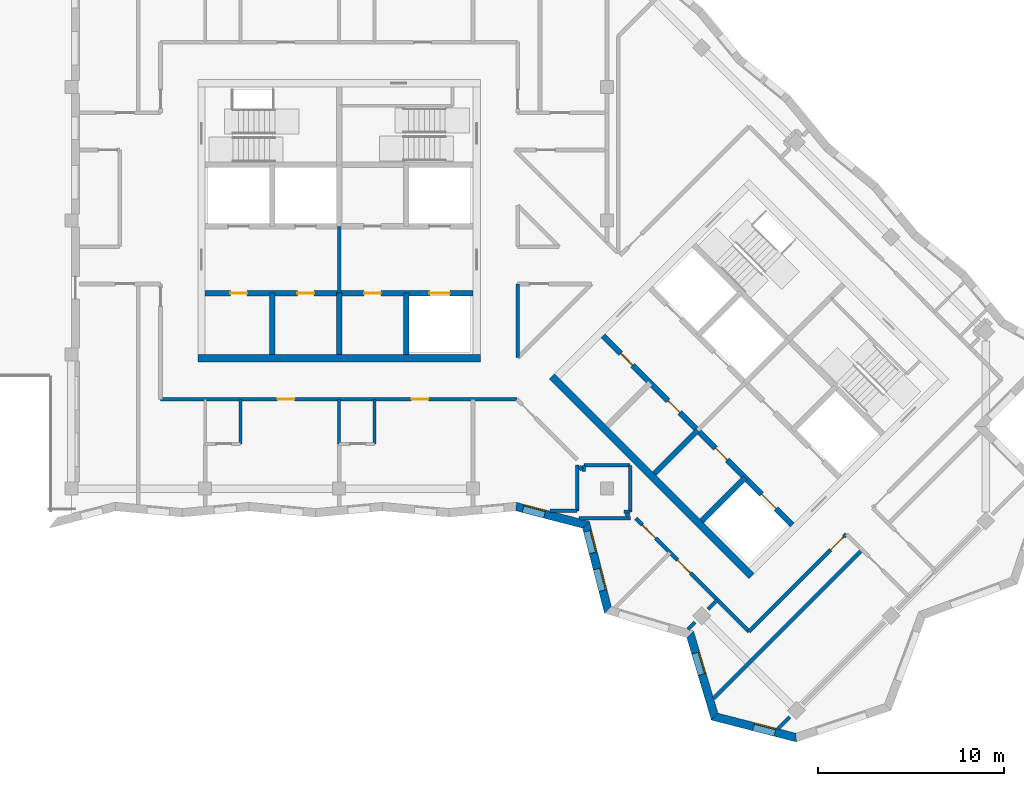
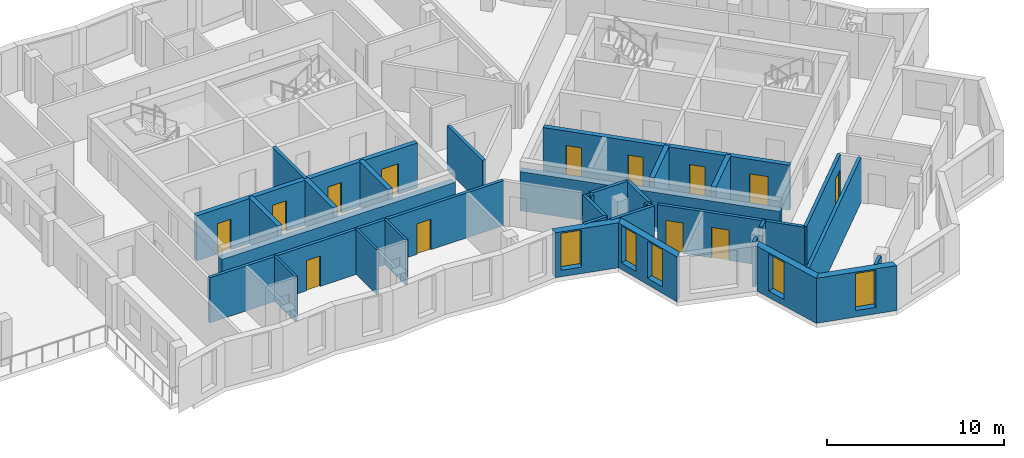
# One storey, part 3 of 12: 34 walls, 13 doors, 5 windows, 18 openings.
"""IFC4 building model written with IfcOpenShell, lengths in metres."""

from ifc_helpers import new_model, si_unit, direction, frame, frame_2d, origin, place, context, subcontext, project, spatial, polyline, rectangle, outline, extrude, material, layer, layer_set, type_object, element, fill, save


model = new_model("IFC4")

# Units and contexts
model_context = context("Model", 3, precision=1e-05, world=origin(), true_north=direction((0.0, 1.0)))
body_context = subcontext(model_context, "Body", "Model", "MODEL_VIEW")
ifc_project = project(units=[si_unit("LENGTHUNIT", "METRE"), si_unit("AREAUNIT", "SQUARE_METRE"), si_unit("VOLUMEUNIT", "CUBIC_METRE"), si_unit("PLANEANGLEUNIT", "RADIAN"), si_unit("MASSUNIT", "GRAM", prefix="KILO")], contexts=[model_context])

# Site, building, storey
site_placement = place(None, origin())
site = spatial("IfcSite", under=ifc_project, at=site_placement, CompositionType="ELEMENT")
building_placement = place(site_placement, origin())
building = spatial("IfcBuilding", under=site, at=building_placement, Name="Windrow Commons", CompositionType="ELEMENT")
storey_placement = place(building_placement, frame((0.0, 0.0, 247.2)))
storey = spatial("IfcBuildingStorey", under=building, at=storey_placement, Name="L67", CompositionType="ELEMENT", Elevation=247.2)

# Wall, opening, window
ifc_material_1 = material(Name="Brick masonry, red clay brick", Category="masonry")
ifc_layer_1 = layer(ifc_material_1, 0.45)
ifc_layer_set_1 = layer_set([ifc_layer_1], Name="Brick facade wall 450")
wall_type_1 = type_object("IfcWallType", Name="Brick facade wall 450", PredefinedType="SOLIDWALL", material=ifc_layer_set_1)
wall_1_placement = place(storey_placement, frame((74.3186, 42.2277, 0.0), z_axis=(0.0, 0.0, 1.0), x_axis=(0.9679697349, -0.2510669081, 0.0)))
wall_1 = element("IfcWall", 1, at=wall_1_placement, inside=storey, type_object=wall_type_1, Name="Brick facade wall L67 45", PredefinedType="SOLIDWALL", context=body_context, shape_type="SweptSolid", body=[
    extrude(outline(polyline([(0.0393, -0.225), (3.7436, -0.225), (4.0088, 0.225), (-0.0393, 0.225), (0.0393, -0.225)])), origin(), (0.0, 0.0, 1.0), 3.1),
])
opening_1_placement = place(wall_1_placement, frame((0.3865, 0.0, 0.45)))
opening_1 = element("IfcOpeningElement", 2, at=opening_1_placement, cuts=wall_1, Name="Opening W7F", PredefinedType="OPENING", context=body_context, shape_type="SweptSolid", body=[
    extrude(rectangle(XDim=1.2, YDim=2.55, at=frame_2d((0.6, 1.275))), frame((0.0, 0.235, 0.0), z_axis=(0.0, -1.0, 0.0), x_axis=(1.0, 0.0, 0.0)), (0.0, 0.0, 1.0), 0.47),
])
ifc_material_2 = material(Name="Clear float glass in anodised aluminium frame", Category="aluminium")
window_type = type_object("IfcWindowType", Name="Window W7 notch 1200x2550", PartitioningType="SINGLE_PANEL", PredefinedType="WINDOW", material=ifc_material_2)
window_1_placement = place(opening_1_placement, origin())
window_1 = element("IfcWindow", 3, at=window_1_placement, inside=storey, type_object=window_type, Name="Window L67 45.1A", OverallHeight=2.55, OverallWidth=1.2, PartitioningType="SINGLE_PANEL", PredefinedType="WINDOW", context=body_context, shape_type="SweptSolid", body=[
    extrude(rectangle(XDim=1.2, YDim=2.55, at=frame_2d((0.6, 1.275))), frame((0.0, 0.205, 0.0), z_axis=(0.0, -1.0, 0.0), x_axis=(1.0, 0.0, 0.0)), (0.0, 0.0, 1.0), 0.06),
])
fill(opening_1, window_1)

# Wall, openings, windows
wall_2_placement = place(storey_placement, frame((78.0707, 41.2545, 0.0), z_axis=(0.0, 0.0, 1.0), x_axis=(0.2493659813, -0.9684093181, 0.0)))
wall_2 = element("IfcWall", 4, at=wall_2_placement, inside=storey, type_object=wall_type_1, Name="Brick facade wall L67 46", PredefinedType="SOLIDWALL", context=body_context, shape_type="SweptSolid", body=[
    extrude(outline(polyline([(0.1326, -0.225), (4.8529, -0.225), (4.5983, 0.225), (-0.1326, 0.225), (0.1326, -0.225)])), origin(), (0.0, 0.0, 1.0), 3.1),
])
opening_2_placement = place(wall_2_placement, frame((0.3542, 0.0, 0.45)))
opening_2 = element("IfcOpeningElement", 5, at=opening_2_placement, cuts=wall_2, Name="Opening W7F", PredefinedType="OPENING", context=body_context, shape_type="SweptSolid", body=[
    extrude(rectangle(XDim=1.2, YDim=2.55, at=frame_2d((0.6, 1.275))), frame((0.0, 0.235, 0.0), z_axis=(0.0, -1.0, 0.0), x_axis=(1.0, 0.0, 0.0)), (0.0, 0.0, 1.0), 0.47),
])
opening_3_placement = place(wall_2_placement, frame((2.4534, 0.0, 0.45)))
opening_3 = element("IfcOpeningElement", 6, at=opening_3_placement, cuts=wall_2, Name="Opening W7F", PredefinedType="OPENING", context=body_context, shape_type="SweptSolid", body=[
    extrude(rectangle(XDim=1.2, YDim=2.55, at=frame_2d((0.6, 1.275))), frame((0.0, 0.235, 0.0), z_axis=(0.0, -1.0, 0.0), x_axis=(1.0, 0.0, 0.0)), (0.0, 0.0, 1.0), 0.47),
])
window_2_placement = place(opening_2_placement, origin())
window_2 = element("IfcWindow", 7, at=window_2_placement, inside=storey, type_object=window_type, Name="Window L67 46.1", OverallHeight=2.55, OverallWidth=1.2, PartitioningType="SINGLE_PANEL", PredefinedType="WINDOW", context=body_context, shape_type="SweptSolid", body=[
    extrude(rectangle(XDim=1.2, YDim=2.55, at=frame_2d((0.6, 1.275))), frame((0.0, 0.205, 0.0), z_axis=(0.0, -1.0, 0.0), x_axis=(1.0, 0.0, 0.0)), (0.0, 0.0, 1.0), 0.06),
])
fill(opening_2, window_2)
window_3_placement = place(opening_3_placement, origin())
window_3 = element("IfcWindow", 8, at=window_3_placement, inside=storey, type_object=window_type, Name="Window L67 46.2", OverallHeight=2.55, OverallWidth=1.2, PartitioningType="SINGLE_PANEL", PredefinedType="WINDOW", context=body_context, shape_type="SweptSolid", body=[
    extrude(rectangle(XDim=1.2, YDim=2.55, at=frame_2d((0.6, 1.275))), frame((0.0, 0.205, 0.0), z_axis=(0.0, -1.0, 0.0), x_axis=(1.0, 0.0, 0.0)), (0.0, 0.0, 1.0), 0.06),
])
fill(opening_3, window_3)

# Wall, opening, window
wall_3_placement = place(storey_placement, frame((83.6736, 35.3613, 0.0), z_axis=(0.0, 0.0, 1.0), x_axis=(0.2852704146, -0.9584470724, 0.0)))
wall_3 = element("IfcWall", 9, at=wall_3_placement, inside=storey, type_object=wall_type_1, Name="Brick facade wall L67 48", PredefinedType="SOLIDWALL", context=body_context, shape_type="SweptSolid", body=[
    extrude(outline(polyline([(0.1218, -0.225), (4.7436, -0.225), (4.489, 0.225), (-0.1218, 0.225), (0.1218, -0.225)])), origin(), (0.0, 0.0, 1.0), 3.1),
])
opening_4_placement = place(wall_3_placement, frame((1.0448, 0.0, 0.45)))
opening_4 = element("IfcOpeningElement", 10, at=opening_4_placement, cuts=wall_3, Name="Opening W7F", PredefinedType="OPENING", context=body_context, shape_type="SweptSolid", body=[
    extrude(rectangle(XDim=1.2, YDim=2.55, at=frame_2d((0.6, 1.275))), frame((0.0, 0.235, 0.0), z_axis=(0.0, -1.0, 0.0), x_axis=(1.0, 0.0, 0.0)), (0.0, 0.0, 1.0), 0.47),
])
window_4_placement = place(opening_4_placement, origin())
window_4 = element("IfcWindow", 11, at=window_4_placement, inside=storey, type_object=window_type, Name="Window L67 48.1", OverallHeight=2.55, OverallWidth=1.2, PartitioningType="SINGLE_PANEL", PredefinedType="WINDOW", context=body_context, shape_type="SweptSolid", body=[
    extrude(rectangle(XDim=1.2, YDim=2.55, at=frame_2d((0.6, 1.275))), frame((0.0, 0.205, 0.0), z_axis=(0.0, -1.0, 0.0), x_axis=(1.0, 0.0, 0.0)), (0.0, 0.0, 1.0), 0.06),
])
fill(opening_4, window_4)

wall_4_placement = place(storey_placement, frame((84.9905, 30.9368, 0.0), z_axis=(0.0, 0.0, 1.0), x_axis=(0.9684082316, -0.2493702007, 0.0)))
wall_4 = element("IfcWall", 12, at=wall_4_placement, inside=storey, type_object=wall_type_1, Name="Brick facade wall L67 49", PredefinedType="SOLIDWALL", context=body_context, shape_type="SweptSolid", body=[
    extrude(outline(polyline([(-0.1273, -0.225), (4.593, -0.225), (4.4602, 0.225), (0.1273, 0.225), (-0.1273, -0.225)])), origin(), (0.0, 0.0, 1.0), 3.1),
])
opening_5_placement = place(wall_4_placement, frame((2.1579, 0.0, 0.45)))
opening_5 = element("IfcOpeningElement", 13, at=opening_5_placement, cuts=wall_4, Name="Opening W7F", PredefinedType="OPENING", context=body_context, shape_type="SweptSolid", body=[
    extrude(rectangle(XDim=1.2, YDim=2.55, at=frame_2d((0.6, 1.275))), frame((0.0, 0.235, 0.0), z_axis=(0.0, -1.0, 0.0), x_axis=(1.0, 0.0, 0.0)), (0.0, 0.0, 1.0), 0.47),
])
window_5_placement = place(opening_5_placement, origin())
window_5 = element("IfcWindow", 14, at=window_5_placement, inside=storey, type_object=window_type, Name="Window L67 49.1", OverallHeight=2.55, OverallWidth=1.2, PartitioningType="SINGLE_PANEL", PredefinedType="WINDOW", context=body_context, shape_type="SweptSolid", body=[
    extrude(rectangle(XDim=1.2, YDim=2.55, at=frame_2d((0.6, 1.275))), frame((0.0, 0.205, 0.0), z_axis=(0.0, -1.0, 0.0), x_axis=(1.0, 0.0, 0.0)), (0.0, 0.0, 1.0), 0.06),
])
fill(opening_5, window_5)

# Wall
ifc_material_3 = material(Name="Blockwork partition", Category="masonry")
ifc_layer_2 = layer(ifc_material_3, 0.2)
ifc_layer_set_2 = layer_set([ifc_layer_2], Name="Fire lobby partition 200")
wall_type_2 = type_object("IfcWallType", Name="Fire lobby partition 200", PredefinedType="PARTITIONING", material=ifc_layer_set_2)
wall_5_placement = place(storey_placement, frame((64.8, 53.7, 0.0), z_axis=(0.0, 0.0, 1.0), x_axis=(0.0, 1.0, 0.0)))
element("IfcWall", 15, at=wall_5_placement, inside=storey, type_object=wall_type_2, Name="W-core-lobby-A-L67", PredefinedType="PARTITIONING", context=body_context, shape_type="SweptSolid", body=[
    extrude(rectangle(XDim=3.6, YDim=0.2, at=frame_2d((1.8, 0.0))), origin(), (0.0, 0.0, 1.0), 3.1),
])

# Wall, openings, doors
ifc_material_4 = material(Name="Blockwork partition", Category="masonry")
ifc_layer_3 = layer(ifc_material_4, 0.2)
ifc_layer_set_3 = layer_set([ifc_layer_3], Name="IW-CORRIDOR-200")
wall_type_3 = type_object("IfcWallType", Name="IW-CORRIDOR-200", PredefinedType="PARTITIONING", material=ifc_layer_set_3)
wall_6_placement = place(storey_placement, frame((55.2, 48.0, 0.0), z_axis=(0.0, 0.0, 1.0), x_axis=(1.0, 0.0, 0.0)))
wall_6 = element("IfcWall", 16, at=wall_6_placement, inside=storey, type_object=wall_type_3, Name="W-L67-W001", PredefinedType="PARTITIONING", context=body_context, shape_type="SweptSolid", body=[
    extrude(rectangle(XDim=19.15, YDim=0.2, at=frame_2d((9.575, 0.0))), origin(), (0.0, 0.0, 1.0), 3.1),
])
opening_6_placement = place(wall_6_placement, frame((6.2994, 0.0, 0.0)))
opening_6 = element("IfcOpeningElement", 17, at=opening_6_placement, cuts=wall_6, Name="Opening D109F", PredefinedType="OPENING", context=body_context, shape_type="SweptSolid", body=[
    extrude(rectangle(XDim=0.9, YDim=2.1, at=frame_2d((0.45, 1.05))), frame((0.0, 0.11, 0.0), z_axis=(0.0, -1.0, 0.0), x_axis=(1.0, 0.0, 0.0)), (0.0, 0.0, 1.0), 0.22),
])
opening_7_placement = place(wall_6_placement, frame((13.4994, 0.0, 0.0)))
opening_7 = element("IfcOpeningElement", 18, at=opening_7_placement, cuts=wall_6, Name="Opening D109F", PredefinedType="OPENING", context=body_context, shape_type="SweptSolid", body=[
    extrude(rectangle(XDim=0.9, YDim=2.1, at=frame_2d((0.45, 1.05))), frame((0.0, 0.11, 0.0), z_axis=(0.0, -1.0, 0.0), x_axis=(1.0, 0.0, 0.0)), (0.0, 0.0, 1.0), 0.22),
])
ifc_material_5 = material(Name="Timber door leaf", Category="wood")
door_type_1 = type_object("IfcDoorType", Name="DT-BEDROOM-900", OperationType="SINGLE_SWING_LEFT", PredefinedType="DOOR", material=ifc_material_5)
door_1_placement = place(opening_6_placement, origin())
door_1 = element("IfcDoor", 19, at=door_1_placement, inside=storey, type_object=door_type_1, Name="D-L67-D002", OperationType="SINGLE_SWING_LEFT", OverallHeight=2.1, OverallWidth=0.9, PredefinedType="DOOR", context=body_context, shape_type="SweptSolid", body=[
    extrude(rectangle(XDim=0.9, YDim=2.1, at=frame_2d((0.45, 1.05))), frame((0.0, 0.025, 0.0), z_axis=(0.0, -1.0, 0.0), x_axis=(1.0, 0.0, 0.0)), (0.0, 0.0, 1.0), 0.05),
])
fill(opening_6, door_1)
door_2_placement = place(opening_7_placement, origin())
door_2 = element("IfcDoor", 20, at=door_2_placement, inside=storey, type_object=door_type_1, Name="D-L67-D004", OperationType="SINGLE_SWING_LEFT", OverallHeight=2.1, OverallWidth=0.9, PredefinedType="DOOR", context=body_context, shape_type="SweptSolid", body=[
    extrude(rectangle(XDim=0.9, YDim=2.1, at=frame_2d((0.45, 1.05))), frame((0.0, 0.025, 0.0), z_axis=(0.0, -1.0, 0.0), x_axis=(1.0, 0.0, 0.0)), (0.0, 0.0, 1.0), 0.05),
])
fill(opening_7, door_2)

wall_7_placement = place(storey_placement, frame((80.7468, 41.5968, 0.0), z_axis=(0.0, 0.0, 1.0), x_axis=(0.7071067812, -0.7071067812, 0.0)))
wall_7 = element("IfcWall", 21, at=wall_7_placement, inside=storey, type_object=wall_type_3, Name="W-L67-W009", PredefinedType="PARTITIONING", context=body_context, shape_type="SweptSolid", body=[
    extrude(rectangle(XDim=8.6069, YDim=0.2, at=frame_2d((4.3034, 0.0))), origin(), (0.0, 0.0, 1.0), 3.1),
])
opening_8_placement = place(wall_7_placement, frame((0.4984, 0.0, 0.0)))
opening_8 = element("IfcOpeningElement", 22, at=opening_8_placement, cuts=wall_7, Name="Opening D310F", PredefinedType="OPENING", context=body_context, shape_type="SweptSolid", body=[
    extrude(rectangle(XDim=1.0, YDim=2.1, at=frame_2d((0.5, 1.05))), frame((0.0, 0.11, 0.0), z_axis=(0.0, -1.0, 0.0), x_axis=(1.0, 0.0, 0.0)), (0.0, 0.0, 1.0), 0.22),
])
opening_9_placement = place(wall_7_placement, frame((3.1754, 0.0, 0.0)))
opening_9 = element("IfcOpeningElement", 23, at=opening_9_placement, cuts=wall_7, Name="Opening D410F", PredefinedType="OPENING", context=body_context, shape_type="SweptSolid", body=[
    extrude(rectangle(XDim=1.0, YDim=2.1, at=frame_2d((0.5, 1.05))), frame((0.0, 0.11, 0.0), z_axis=(0.0, -1.0, 0.0), x_axis=(1.0, 0.0, 0.0)), (0.0, 0.0, 1.0), 0.22),
])
ifc_material_6 = material(Name="Timber door leaf", Category="wood")
door_type_2 = type_object("IfcDoorType", Name="DT-AMENITY-1000", OperationType="SINGLE_SWING_LEFT", PredefinedType="DOOR", material=ifc_material_6)
door_3_placement = place(opening_8_placement, origin())
door_3 = element("IfcDoor", 24, at=door_3_placement, inside=storey, type_object=door_type_2, Name="D-L67-D022", OperationType="SINGLE_SWING_RIGHT", OverallHeight=2.1, OverallWidth=1.0, PredefinedType="DOOR", context=body_context, shape_type="SweptSolid", body=[
    extrude(rectangle(XDim=1.0, YDim=2.1, at=frame_2d((0.5, 1.05))), frame((0.0, 0.025, 0.0), z_axis=(0.0, -1.0, 0.0), x_axis=(1.0, 0.0, 0.0)), (0.0, 0.0, 1.0), 0.05),
])
fill(opening_8, door_3)
ifc_material_7 = material(Name="Timber door leaf", Category="wood")
door_type_3 = type_object("IfcDoorType", Name="DT-SERVICE-1000", OperationType="SINGLE_SWING_LEFT", PredefinedType="DOOR", material=ifc_material_7)
door_4_placement = place(opening_9_placement, origin())
door_4 = element("IfcDoor", 25, at=door_4_placement, inside=storey, type_object=door_type_3, Name="D-L67-D023", OperationType="SINGLE_SWING_LEFT", OverallHeight=2.1, OverallWidth=1.0, PredefinedType="DOOR", context=body_context, shape_type="SweptSolid", body=[
    extrude(rectangle(XDim=1.0, YDim=2.1, at=frame_2d((0.5, 1.05))), frame((0.0, 0.025, 0.0), z_axis=(0.0, -1.0, 0.0), x_axis=(1.0, 0.0, 0.0)), (0.0, 0.0, 1.0), 0.05),
])
fill(opening_9, door_4)

# Wall, opening, door
wall_8_placement = place(storey_placement, frame((86.8359, 35.5141, 0.0), z_axis=(0.0, 0.0, 1.0), x_axis=(0.7071067812, 0.7071067812, 0.0)))
wall_8 = element("IfcWall", 26, at=wall_8_placement, inside=storey, type_object=wall_type_3, Name="W-L67-W010", PredefinedType="PARTITIONING", context=body_context, shape_type="SweptSolid", body=[
    extrude(rectangle(XDim=7.3992, YDim=0.2, at=frame_2d((3.6996, 0.0))), origin(), (0.0, 0.0, 1.0), 3.1),
])
opening_10_placement = place(wall_8_placement, frame((6.2065, 0.0, 0.0)))
opening_10 = element("IfcOpeningElement", 27, at=opening_10_placement, cuts=wall_8, Name="Opening D310F", PredefinedType="OPENING", context=body_context, shape_type="SweptSolid", body=[
    extrude(rectangle(XDim=1.0, YDim=2.1, at=frame_2d((0.5, 1.05))), frame((0.0, 0.11, 0.0), z_axis=(0.0, -1.0, 0.0), x_axis=(1.0, 0.0, 0.0)), (0.0, 0.0, 1.0), 0.22),
])
door_5_placement = place(opening_10_placement, origin())
door_5 = element("IfcDoor", 28, at=door_5_placement, inside=storey, type_object=door_type_2, Name="D-L67-D024", OperationType="SINGLE_SWING_RIGHT", OverallHeight=2.1, OverallWidth=1.0, PredefinedType="DOOR", context=body_context, shape_type="SweptSolid", body=[
    extrude(rectangle(XDim=1.0, YDim=2.1, at=frame_2d((0.5, 1.05))), frame((0.0, 0.025, 0.0), z_axis=(0.0, -1.0, 0.0), x_axis=(1.0, 0.0, 0.0)), (0.0, 0.0, 1.0), 0.05),
])
fill(opening_10, door_5)

# Walls
wall_9_placement = place(storey_placement, frame((74.4, 50.232, 0.0), z_axis=(0.0, 0.0, 1.0), x_axis=(0.0, 1.0, 0.0)))
element("IfcWall", 29, at=wall_9_placement, inside=storey, type_object=wall_type_3, Name="W-L67-W031", PredefinedType="PARTITIONING", context=body_context, shape_type="SweptSolid", body=[
    extrude(rectangle(XDim=3.968, YDim=0.2, at=frame_2d((1.984, 0.0))), origin(), (0.0, 0.0, 1.0), 3.1),
])
for number, where, z_axis, x_axis, name in (
    (30, (80.45, 41.952, 0.0), (0.0, 0.0, 1.0), (0.0, 1.0, 0.0), "W-L67-W042"),
    (31, (77.952, 44.45, 0.0), (0.0, 0.0, 1.0), (1.0, 0.0, 0.0), "W-L67-W043"),
):
    element("IfcWall", number, at=place(storey_placement, frame(where, z_axis=z_axis, x_axis=x_axis)), inside=storey, type_object=wall_type_3, Name=name, PredefinedType="PARTITIONING", context=body_context, shape_type="SweptSolid", body=[
        extrude(rectangle(XDim=2.498, YDim=0.2, at=frame_2d((1.249, 0.0))), origin(), (0.0, 0.0, 1.0), 3.1),
    ])
for number, where, z_axis, x_axis, name in (
    (32, (80.2205, 41.8545, 0.0), (0.0, 0.0, 1.0), (0.7068844555, -0.707329037, 0.0), "W-L67-W094"),
    (33, (77.6954, 44.3795, 0.0), (0.0, 0.0, 1.0), (0.707329037, -0.7068844555, 0.0), "W-L67-W095"),
):
    element("IfcWall", number, at=place(storey_placement, frame(where, z_axis=z_axis, x_axis=x_axis)), inside=storey, type_object=wall_type_3, Name=name, PredefinedType="PARTITIONING", context=body_context, shape_type="SweptSolid", body=[
        extrude(rectangle(XDim=0.2249, YDim=0.2, at=frame_2d((0.1124, 0.0))), origin(), (0.0, 0.0, 1.0), 3.1),
    ])
for number, where, z_axis, x_axis, name in (
    (34, (80.118, 41.95, 0.0), (0.0, 0.0, 1.0), (1.0, 0.0, 0.0), "W-L67-W108"),
    (35, (77.95, 44.118, 0.0), (0.0, 0.0, 1.0), (0.0, 1.0, 0.0), "W-L67-W109"),
):
    element("IfcWall", number, at=place(storey_placement, frame(where, z_axis=z_axis, x_axis=x_axis)), inside=storey, type_object=wall_type_3, Name=name, PredefinedType="PARTITIONING", context=body_context, shape_type="SweptSolid", body=[
        extrude(rectangle(XDim=0.332, YDim=0.2, at=frame_2d((0.166, 0.0))), origin(), (0.0, 0.0, 1.0), 3.1),
    ])
ifc_material_8 = material(Name="Blockwork partition", Category="masonry")
ifc_layer_4 = layer(ifc_material_8, 0.15)
ifc_layer_set_4 = layer_set([ifc_layer_4], Name="IW-ENSUITE-150")
wall_type_4 = type_object("IfcWallType", Name="IW-ENSUITE-150", PredefinedType="PARTITIONING", material=ifc_layer_set_4)
for number, where, z_axis, x_axis, name in (
    (36, (59.5, 45.6, 0.0), (0.0, 0.0, 1.0), (0.0, 1.0, 0.0), "W-L67-W045"),
    (37, (66.7, 45.6, 0.0), (0.0, 0.0, 1.0), (0.0, 1.0, 0.0), "W-L67-W047"),
    (38, (64.8, 45.6, 0.0), (0.0, 0.0, 1.0), (0.0, 1.0, 0.0), "W-L67-W048"),
):
    element("IfcWall", number, at=place(storey_placement, frame(where, z_axis=z_axis, x_axis=x_axis)), inside=storey, type_object=wall_type_4, Name=name, PredefinedType="PARTITIONING", context=body_context, shape_type="SweptSolid", body=[
        extrude(rectangle(XDim=2.4, YDim=0.15, at=frame_2d((1.2, 0.0))), origin(), (0.0, 0.0, 1.0), 3.1),
    ])
ifc_material_9 = material(Name="Blockwork partition", Category="masonry")
ifc_layer_5 = layer(ifc_material_9, 0.2)
ifc_layer_set_5 = layer_set([ifc_layer_5], Name="IW-PARTY-200")
wall_type_5 = type_object("IfcWallType", Name="IW-PARTY-200", PredefinedType="PARTITIONING", material=ifc_layer_set_5)
wall_10_placement = place(storey_placement, frame((84.934, 31.9152, 0.0), z_axis=(0.0, 0.0, 1.0), x_axis=(0.7071067812, 0.7071067812, 0.0)))
element("IfcWall", 39, at=wall_10_placement, inside=storey, type_object=wall_type_5, Name="W-L67-W004", PredefinedType="PARTITIONING", context=body_context, shape_type="SweptSolid", body=[
    extrude(rectangle(XDim=11.2902, YDim=0.2, at=frame_2d((5.6451, 0.0))), origin(), (0.0, 0.0, 1.0), 3.1),
])
wall_11_placement = place(storey_placement, frame((77.6849, 41.6, 0.0), z_axis=(0.0, 0.0, 1.0), x_axis=(1.0, 0.0, 0.0)))
element("IfcWall", 40, at=wall_11_placement, inside=storey, type_object=wall_type_5, Name="W-L67-W040", PredefinedType="PARTITIONING", context=body_context, shape_type="SweptSolid", body=[
    extrude(rectangle(XDim=2.7831, YDim=0.2, at=frame_2d((1.3916, 0.0))), origin(), (0.0, 0.0, 1.0), 3.1),
])
wall_12_placement = place(storey_placement, frame((77.6, 42.0, 0.0), z_axis=(0.0, 0.0, 1.0), x_axis=(0.0, 1.0, 0.0)))
element("IfcWall", 41, at=wall_12_placement, inside=storey, type_object=wall_type_5, Name="W-L67-W044", PredefinedType="PARTITIONING", context=body_context, shape_type="SweptSolid", body=[
    extrude(rectangle(XDim=2.468, YDim=0.2, at=frame_2d((1.234, 0.0))), origin(), (0.0, 0.0, 1.0), 3.1),
])
wall_13_placement = place(storey_placement, frame((76.1426, 42.0, 0.0), z_axis=(0.0, 0.0, 1.0), x_axis=(1.0, 0.0, 0.0)))
element("IfcWall", 42, at=wall_13_placement, inside=storey, type_object=wall_type_5, Name="W-L67-W075", PredefinedType="PARTITIONING", context=body_context, shape_type="SweptSolid", body=[
    extrude(rectangle(XDim=1.4574, YDim=0.2, at=frame_2d((0.7287, 0.0))), origin(), (0.0, 0.0, 1.0), 3.1),
])
wall_14_placement = place(storey_placement, frame((88.401, 30.291, 0.0), z_axis=(0.0, 0.0, 1.0), x_axis=(0.7071067812, 0.7071067812, 0.0)))
element("IfcWall", 43, at=wall_14_placement, inside=storey, type_object=wall_type_5, Name="W-L67-W081", PredefinedType="PARTITIONING", context=body_context, shape_type="SweptSolid", body=[
    extrude(rectangle(XDim=0.891, YDim=0.2, at=frame_2d((0.4455, 0.0))), origin(), (0.0, 0.0, 1.0), 3.1),
])
wall_15_placement = place(storey_placement, frame((84.6408, 36.7132, 0.0), z_axis=(0.0, 0.0, 1.0), x_axis=(0.7071067812, 0.7071067812, 0.0)))
element("IfcWall", 44, at=wall_15_placement, inside=storey, type_object=wall_type_5, Name="W-L67-W085", PredefinedType="PARTITIONING", context=body_context, shape_type="SweptSolid", body=[
    extrude(rectangle(XDim=0.7043, YDim=0.2, at=frame_2d((0.3522, 0.0))), origin(), (0.0, 0.0, 1.0), 3.1),
])
wall_16_placement = place(storey_placement, frame((83.5581, 35.6304, 0.0), z_axis=(0.0, 0.0, 1.0), x_axis=(0.7070144033, 0.707199147, 0.0)))
element("IfcWall", 45, at=wall_16_placement, inside=storey, type_object=wall_type_5, Name="W-L67-W096", PredefinedType="PARTITIONING", context=body_context, shape_type="SweptSolid", body=[
    extrude(rectangle(XDim=0.5413, YDim=0.2, at=frame_2d((0.2707, 0.0))), origin(), (0.0, 0.0, 1.0), 3.1),
])
ifc_material_10 = material(Name="Concrete C40/50", Category="concrete")
ifc_layer_6 = layer(ifc_material_10, 0.4)
ifc_layer_set_6 = layer_set([ifc_layer_6], Name="RC CORE WALL 400 C40/50")
wall_type_6 = type_object("IfcWallType", Name="RC CORE WALL 400 C40/50", PredefinedType="SHEAR", material=ifc_layer_set_6)
for number, where, z_axis, x_axis, name in (
    (46, (57.2, 50.2, -0.3), (0.0, 0.0, 1.0), (1.0, 0.0, 0.0), "Core A wall outer-S"),
    (47, (76.2302, 49.2312, -0.3), (0.0, 0.0, 1.0), (0.7071034917, -0.7071100706, 0.0), "Core B wall outer-S"),
):
    element("IfcWall", number, at=place(storey_placement, frame(where, z_axis=z_axis, x_axis=x_axis)), inside=storey, type_object=wall_type_6, Name=name, PredefinedType="SHEAR", context=body_context, shape_type="SweptSolid", body=[
        extrude(rectangle(XDim=15.2, YDim=0.4, at=frame_2d((7.6, 0.0))), origin(), (0.0, 0.0, 1.0), 2.7),
    ])
ifc_material_11 = material(Name="Concrete C40/50", Category="concrete")
ifc_layer_7 = layer(ifc_material_11, 0.3)
ifc_layer_set_7 = layer_set([ifc_layer_7], Name="RC SHAFT WALL 300 C40/50")
wall_type_7 = type_object("IfcWallType", Name="RC SHAFT WALL 300 C40/50", PredefinedType="SOLIDWALL", material=ifc_layer_set_7)
for number, where, z_axis, x_axis, name in (
    (48, (61.2, 50.4, 0.0), (0.0, 0.0, 1.0), (0.0, 1.0, 0.0), "Core A wall shaft-S1"),
    (49, (64.8, 50.4, 0.0), (0.0, 0.0, 1.0), (0.0, 1.0, 0.0), "Core A wall shaft-S2"),
    (50, (68.4, 50.4, 0.0), (0.0, 0.0, 1.0), (0.0, 1.0, 0.0), "Core A wall shaft-S3"),
):
    element("IfcWall", number, at=place(storey_placement, frame(where, z_axis=z_axis, x_axis=x_axis)), inside=storey, type_object=wall_type_7, Name=name, PredefinedType="SOLIDWALL", context=body_context, shape_type="SweptSolid", body=[
        extrude(rectangle(XDim=3.3, YDim=0.3, at=frame_2d((1.65, 0.0))), origin(), (0.0, 0.0, 1.0), 3.1),
    ])

# Wall, openings, doors
wall_17_placement = place(storey_placement, frame((57.6, 53.7, 0.0), z_axis=(0.0, 0.0, 1.0), x_axis=(1.0, 0.0, 0.0)))
wall_17 = element("IfcWall", 51, at=wall_17_placement, inside=storey, type_object=wall_type_7, Name="Core A wall lobby-S", PredefinedType="SOLIDWALL", context=body_context, shape_type="SweptSolid", body=[
    extrude(rectangle(XDim=14.4, YDim=0.3, at=frame_2d((7.2, 0.0))), origin(), (0.0, 0.0, 1.0), 3.1),
])
opening_11_placement = place(wall_17_placement, frame((1.35, 0.0, 0.0)))
opening_11 = element("IfcOpeningElement", 52, at=opening_11_placement, cuts=wall_17, Name="Opening D8", PredefinedType="OPENING", context=body_context, shape_type="SweptSolid", body=[
    extrude(rectangle(XDim=0.9, YDim=2.1, at=frame_2d((0.45, 1.05))), frame((0.0, 0.16, 0.0), z_axis=(0.0, -1.0, 0.0), x_axis=(1.0, 0.0, 0.0)), (0.0, 0.0, 1.0), 0.32),
])
opening_12_placement = place(wall_17_placement, frame((4.95, 0.0, 0.0)))
opening_12 = element("IfcOpeningElement", 53, at=opening_12_placement, cuts=wall_17, Name="Opening D8", PredefinedType="OPENING", context=body_context, shape_type="SweptSolid", body=[
    extrude(rectangle(XDim=0.9, YDim=2.1, at=frame_2d((0.45, 1.05))), frame((0.0, 0.16, 0.0), z_axis=(0.0, -1.0, 0.0), x_axis=(1.0, 0.0, 0.0)), (0.0, 0.0, 1.0), 0.32),
])
opening_13_placement = place(wall_17_placement, frame((8.55, 0.0, 0.0)))
opening_13 = element("IfcOpeningElement", 54, at=opening_13_placement, cuts=wall_17, Name="Opening D8", PredefinedType="OPENING", context=body_context, shape_type="SweptSolid", body=[
    extrude(rectangle(XDim=0.9, YDim=2.1, at=frame_2d((0.45, 1.05))), frame((0.0, 0.16, 0.0), z_axis=(0.0, -1.0, 0.0), x_axis=(1.0, 0.0, 0.0)), (0.0, 0.0, 1.0), 0.32),
])
opening_14_placement = place(wall_17_placement, frame((12.05, 0.0, 0.0)))
opening_14 = element("IfcOpeningElement", 55, at=opening_14_placement, cuts=wall_17, Name="Opening LD", PredefinedType="OPENING", context=body_context, shape_type="SweptSolid", body=[
    extrude(rectangle(XDim=1.1, YDim=2.1, at=frame_2d((0.55, 1.05))), frame((0.0, 0.16, 0.0), z_axis=(0.0, -1.0, 0.0), x_axis=(1.0, 0.0, 0.0)), (0.0, 0.0, 1.0), 0.32),
])
ifc_material_12 = material(Name="Steel fire door leaf", Category="steel")
door_type_4 = type_object("IfcDoorType", Name="Core store door 900", OperationType="SINGLE_SWING_LEFT", PredefinedType="DOOR", material=ifc_material_12)
door_6_placement = place(opening_11_placement, origin())
door_6 = element("IfcDoor", 56, at=door_6_placement, inside=storey, type_object=door_type_4, Name="Store door", OperationType="SINGLE_SWING_LEFT", OverallHeight=2.1, OverallWidth=0.9, PredefinedType="DOOR", context=body_context, shape_type="SweptSolid", body=[
    extrude(rectangle(XDim=0.9, YDim=2.1, at=frame_2d((0.45, 1.05))), frame((0.0, 0.025, 0.0), z_axis=(0.0, -1.0, 0.0), x_axis=(1.0, 0.0, 0.0)), (0.0, 0.0, 1.0), 0.05),
])
fill(opening_11, door_6)
door_7_placement = place(opening_12_placement, origin())
door_7 = element("IfcDoor", 57, at=door_7_placement, inside=storey, type_object=door_type_4, Name="Store door", OperationType="SINGLE_SWING_LEFT", OverallHeight=2.1, OverallWidth=0.9, PredefinedType="DOOR", context=body_context, shape_type="SweptSolid", body=[
    extrude(rectangle(XDim=0.9, YDim=2.1, at=frame_2d((0.45, 1.05))), frame((0.0, 0.025, 0.0), z_axis=(0.0, -1.0, 0.0), x_axis=(1.0, 0.0, 0.0)), (0.0, 0.0, 1.0), 0.05),
])
fill(opening_12, door_7)
door_8_placement = place(opening_13_placement, origin())
door_8 = element("IfcDoor", 58, at=door_8_placement, inside=storey, type_object=door_type_4, Name="Store door", OperationType="SINGLE_SWING_LEFT", OverallHeight=2.1, OverallWidth=0.9, PredefinedType="DOOR", context=body_context, shape_type="SweptSolid", body=[
    extrude(rectangle(XDim=0.9, YDim=2.1, at=frame_2d((0.45, 1.05))), frame((0.0, 0.025, 0.0), z_axis=(0.0, -1.0, 0.0), x_axis=(1.0, 0.0, 0.0)), (0.0, 0.0, 1.0), 0.05),
])
fill(opening_13, door_8)
ifc_material_13 = material(Name="Stainless steel door leaf", Category="steel")
door_type_5 = type_object("IfcDoorType", Name="Lift landing door 1100", OperationType="SLIDING_TO_LEFT", PredefinedType="DOOR", material=ifc_material_13)
door_9_placement = place(opening_14_placement, origin())
door_9 = element("IfcDoor", 59, at=door_9_placement, inside=storey, type_object=door_type_5, Name="Lift landing door", OperationType="SLIDING_TO_RIGHT", OverallHeight=2.1, OverallWidth=1.1, PredefinedType="DOOR", context=body_context, shape_type="SweptSolid", body=[
    extrude(rectangle(XDim=1.1, YDim=2.1, at=frame_2d((0.55, 1.05))), frame((0.0, 0.025, 0.0), z_axis=(0.0, -1.0, 0.0), x_axis=(1.0, 0.0, 0.0)), (0.0, 0.0, 1.0), 0.05),
])
fill(opening_14, door_9)

# Walls
for number, where, z_axis, x_axis, name in (
    (60, (81.7456, 43.9986, 0.0), (0.0, 0.0, 1.0), (0.7071067812, 0.7071067812, 0.0), "Core B wall shaft-S2"),
    (61, (84.2912, 41.453, 0.0), (0.0, 0.0, 1.0), (0.7071067812, 0.7071067812, 0.0), "Core B wall shaft-S3"),
):
    element("IfcWall", number, at=place(storey_placement, frame(where, z_axis=z_axis, x_axis=x_axis)), inside=storey, type_object=wall_type_7, Name=name, PredefinedType="SOLIDWALL", context=body_context, shape_type="SweptSolid", body=[
        extrude(rectangle(XDim=3.2999, YDim=0.3, at=frame_2d((1.65, 0.0))), origin(), (0.0, 0.0, 1.0), 3.1),
    ])

# Wall, openings, doors
wall_18_placement = place(storey_placement, frame((78.9879, 51.4232, 0.0), z_axis=(0.0, 0.0, 1.0), x_axis=(0.7071067812, -0.7071067812, 0.0)))
wall_18 = element("IfcWall", 62, at=wall_18_placement, inside=storey, type_object=wall_type_7, Name="Core B wall lobby-S", PredefinedType="SOLIDWALL", context=body_context, shape_type="SweptSolid", body=[
    extrude(rectangle(XDim=14.3999, YDim=0.3, at=frame_2d((7.2, 0.0))), origin(), (0.0, 0.0, 1.0), 3.1),
])
opening_15_placement = place(wall_18_placement, frame((1.35, 0.0, 0.0)))
opening_15 = element("IfcOpeningElement", 63, at=opening_15_placement, cuts=wall_18, Name="Opening D8", PredefinedType="OPENING", context=body_context, shape_type="SweptSolid", body=[
    extrude(rectangle(XDim=0.9, YDim=2.1, at=frame_2d((0.45, 1.05))), frame((0.0, 0.16, 0.0), z_axis=(0.0, -1.0, 0.0), x_axis=(1.0, 0.0, 0.0)), (0.0, 0.0, 1.0), 0.32),
])
opening_16_placement = place(wall_18_placement, frame((4.95, 0.0, 0.0)))
opening_16 = element("IfcOpeningElement", 64, at=opening_16_placement, cuts=wall_18, Name="Opening D8", PredefinedType="OPENING", context=body_context, shape_type="SweptSolid", body=[
    extrude(rectangle(XDim=0.9, YDim=2.1, at=frame_2d((0.45, 1.05))), frame((0.0, 0.16, 0.0), z_axis=(0.0, -1.0, 0.0), x_axis=(1.0, 0.0, 0.0)), (0.0, 0.0, 1.0), 0.32),
])
opening_17_placement = place(wall_18_placement, frame((8.55, 0.0, 0.0)))
opening_17 = element("IfcOpeningElement", 65, at=opening_17_placement, cuts=wall_18, Name="Opening D8", PredefinedType="OPENING", context=body_context, shape_type="SweptSolid", body=[
    extrude(rectangle(XDim=0.9, YDim=2.1, at=frame_2d((0.45, 1.05))), frame((0.0, 0.16, 0.0), z_axis=(0.0, -1.0, 0.0), x_axis=(1.0, 0.0, 0.0)), (0.0, 0.0, 1.0), 0.32),
])
opening_18_placement = place(wall_18_placement, frame((12.05, 0.0, 0.0)))
opening_18 = element("IfcOpeningElement", 66, at=opening_18_placement, cuts=wall_18, Name="Opening LD", PredefinedType="OPENING", context=body_context, shape_type="SweptSolid", body=[
    extrude(rectangle(XDim=1.1, YDim=2.1, at=frame_2d((0.55, 1.05))), frame((0.0, 0.16, 0.0), z_axis=(0.0, -1.0, 0.0), x_axis=(1.0, 0.0, 0.0)), (0.0, 0.0, 1.0), 0.32),
])
door_10_placement = place(opening_15_placement, origin())
door_10 = element("IfcDoor", 67, at=door_10_placement, inside=storey, type_object=door_type_4, Name="Store door", OperationType="SINGLE_SWING_LEFT", OverallHeight=2.1, OverallWidth=0.9, PredefinedType="DOOR", context=body_context, shape_type="SweptSolid", body=[
    extrude(rectangle(XDim=0.9, YDim=2.1, at=frame_2d((0.45, 1.05))), frame((0.0, 0.025, 0.0), z_axis=(0.0, -1.0, 0.0), x_axis=(1.0, 0.0, 0.0)), (0.0, 0.0, 1.0), 0.05),
])
fill(opening_15, door_10)
door_11_placement = place(opening_16_placement, origin())
door_11 = element("IfcDoor", 68, at=door_11_placement, inside=storey, type_object=door_type_4, Name="Store door", OperationType="SINGLE_SWING_LEFT", OverallHeight=2.1, OverallWidth=0.9, PredefinedType="DOOR", context=body_context, shape_type="SweptSolid", body=[
    extrude(rectangle(XDim=0.9, YDim=2.1, at=frame_2d((0.45, 1.05))), frame((0.0, 0.025, 0.0), z_axis=(0.0, -1.0, 0.0), x_axis=(1.0, 0.0, 0.0)), (0.0, 0.0, 1.0), 0.05),
])
fill(opening_16, door_11)
door_12_placement = place(opening_17_placement, origin())
door_12 = element("IfcDoor", 69, at=door_12_placement, inside=storey, type_object=door_type_4, Name="Store door", OperationType="SINGLE_SWING_LEFT", OverallHeight=2.1, OverallWidth=0.9, PredefinedType="DOOR", context=body_context, shape_type="SweptSolid", body=[
    extrude(rectangle(XDim=0.9, YDim=2.1, at=frame_2d((0.45, 1.05))), frame((0.0, 0.025, 0.0), z_axis=(0.0, -1.0, 0.0), x_axis=(1.0, 0.0, 0.0)), (0.0, 0.0, 1.0), 0.05),
])
fill(opening_17, door_12)
door_13_placement = place(opening_18_placement, origin())
door_13 = element("IfcDoor", 70, at=door_13_placement, inside=storey, type_object=door_type_5, Name="Lift landing door", OperationType="SLIDING_TO_RIGHT", OverallHeight=2.1, OverallWidth=1.1, PredefinedType="DOOR", context=body_context, shape_type="SweptSolid", body=[
    extrude(rectangle(XDim=1.1, YDim=2.1, at=frame_2d((0.55, 1.05))), frame((0.0, 0.025, 0.0), z_axis=(0.0, -1.0, 0.0), x_axis=(1.0, 0.0, 0.0)), (0.0, 0.0, 1.0), 0.05),
])
fill(opening_18, door_13)

save(model, "model.ifc")
